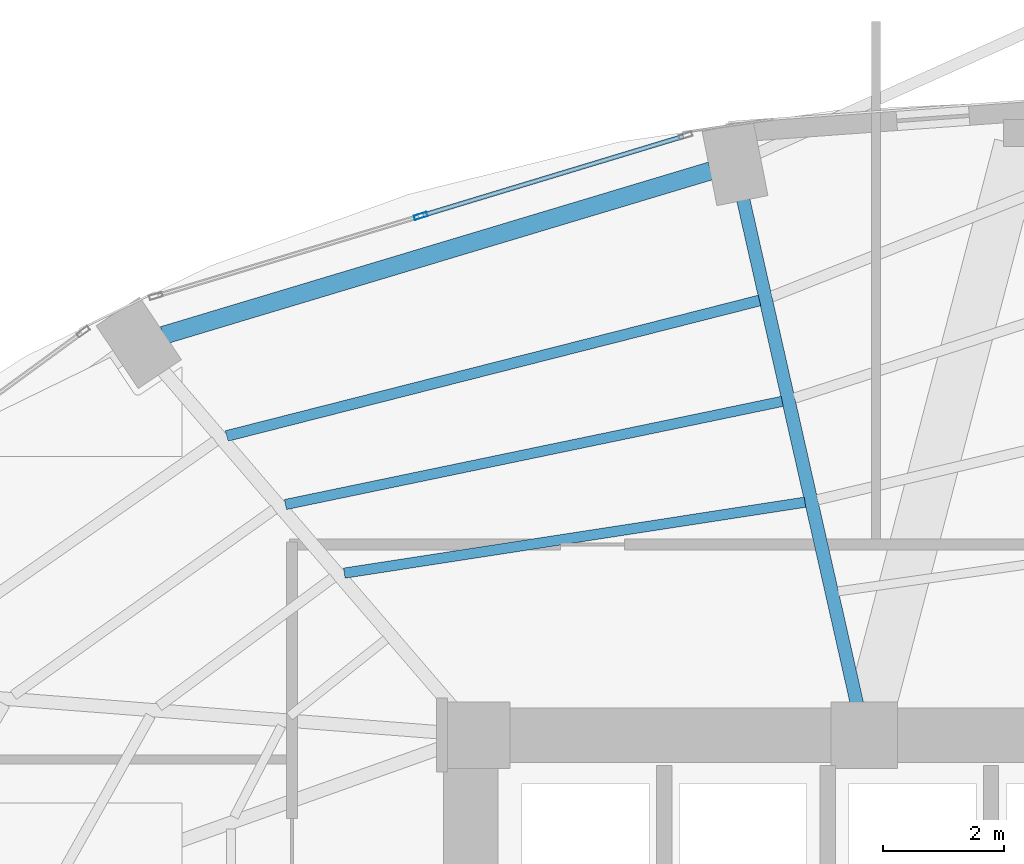
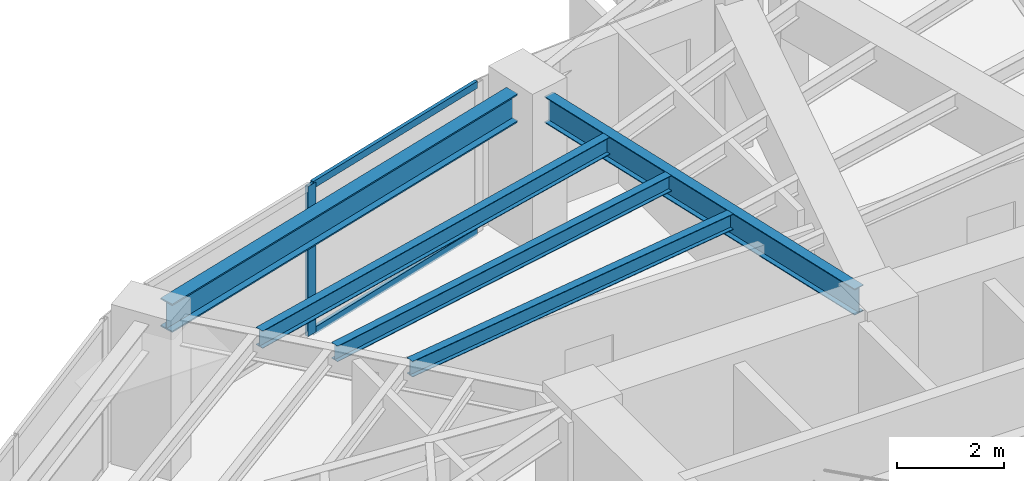
# One storey, part 15 of 25: 5 beams, 3 members, 1 element without a shape of its own.
"""IFC4 building model written with IfcOpenShell, lengths in metres."""

from ifc_helpers import new_model, si_unit, direction, frame, origin, origin_2d, place, context, subcontext, project, spatial, hollow_rectangle, i_section, extrude, material, layer, layer_set, material_profile, profile_set, type_object, element, aggregate, save


model = new_model("IFC4")

# Units and contexts
model_context = context("Model", 3, precision=1e-05, world=origin(), true_north=direction((0.0, 1.0)))
body_context = subcontext(model_context, "Body", "Model", "MODEL_VIEW")
ifc_project = project(units=[si_unit("LENGTHUNIT", "METRE"), si_unit("AREAUNIT", "SQUARE_METRE"), si_unit("VOLUMEUNIT", "CUBIC_METRE"), si_unit("PLANEANGLEUNIT", "RADIAN"), si_unit("MASSUNIT", "GRAM", prefix="KILO")], contexts=[model_context])

# Site, building, storey
site_placement = place(None, origin())
site = spatial("IfcSite", under=ifc_project, at=site_placement, CompositionType="ELEMENT")
building_placement = place(site_placement, origin())
building = spatial("IfcBuilding", under=site, at=building_placement, Name="Lazwardi Medical Tower", CompositionType="ELEMENT")
storey_placement = place(building_placement, frame((0.0, 0.0, 43.43994140625)))
storey = spatial("IfcBuildingStorey", under=building, at=storey_placement, Name="L10", CompositionType="ELEMENT", Elevation=43.43994140625)

# Beams
ifc_material_1 = material(Name="Steel S355", Category="steel")
ifc_material_profile_1 = material_profile(ifc_material_1, i_section(OverallWidth=0.300048828125, OverallDepth=0.64990234375, WebThickness=0.01611328125, FlangeThickness=0.031005859375, at=origin_2d()), Name="HEB 650")
ifc_profile_set_1 = profile_set([ifc_material_profile_1], Name="Steel S355")
beam_type_1 = type_object("IfcBeamType", Name="BM-RB-Z1", PredefinedType="BEAM", material=ifc_profile_set_1)
beam_1_placement = place(storey_placement, frame((30.26708984375, 44.923095703125, 3.10302734375), z_axis=(-0.957695289269, -0.287784177662, 0.0), x_axis=(0.287784177662, -0.957695289269, 0.0)))
element("IfcBeam", 1, at=beam_1_placement, inside=storey, type_object=beam_type_1, Name="Ring beam RB-02 B09 L10", PredefinedType="BEAM", context=body_context, shape_type="SweptSolid", body=[
    extrude(i_section(OverallWidth=0.300048828125, OverallDepth=0.64990234375, WebThickness=0.01611328125, FlangeThickness=0.031005859375, at=origin_2d()), origin(), (0.0, 0.0, 1.0), 9.445556640625),
])
ifc_material_profile_2 = material_profile(ifc_material_1, i_section(OverallWidth=0.219970703125, OverallDepth=0.60009765625, WebThickness=0.011962890625, FlangeThickness=0.01904296875, at=origin_2d()), Name="IPE 600")
ifc_profile_set_2 = profile_set([ifc_material_profile_2], Name="Steel S355")
beam_type_2 = type_object("IfcBeamType", Name="BM-RG-W1", PredefinedType="BEAM", material=ifc_profile_set_2)
beam_2_placement = place(storey_placement, frame((30.796875, 44.478271484375, 3.128173828125), z_axis=(0.22010079219, -0.975477135189, 0.0), x_axis=(0.975477135189, 0.22010079219, 0.0)))
element("IfcBeam", 2, at=beam_2_placement, inside=storey, type_object=beam_type_2, Name="Radial girder RG-02 R09 L10", PredefinedType="BEAM", context=body_context, shape_type="SweptSolid", body=[
    extrude(i_section(OverallWidth=0.219970703125, OverallDepth=0.60009765625, WebThickness=0.011962890625, FlangeThickness=0.01904296875, at=origin_2d()), origin(), (0.0, 0.0, 1.0), 8.56640625),
])
ifc_material_profile_3 = material_profile(ifc_material_1, i_section(OverallWidth=0.179931640625, OverallDepth=0.39990234375, WebThickness=0.008544921875, FlangeThickness=0.013427734375, at=origin_2d()), Name="IPE 400")
ifc_profile_set_3 = profile_set([ifc_material_profile_3], Name="Steel S355")
beam_type_3 = type_object("IfcBeamType", Name="BM-SJ-01", PredefinedType="JOIST", material=ifc_profile_set_3)
beam_3_placement = place(storey_placement, frame((31.072265625, 42.781005859375, 3.22802734375), z_axis=(-0.969151012048, -0.246467677081, 0.0), x_axis=(0.246467677081, -0.969151012048, 0.0)))
element("IfcBeam", 3, at=beam_3_placement, inside=storey, type_object=beam_type_3, Name="Secondary joist SJ-01 R1 B09 L10", PredefinedType="JOIST", context=body_context, shape_type="SweptSolid", body=[
    extrude(i_section(OverallWidth=0.179931640625, OverallDepth=0.39990234375, WebThickness=0.008544921875, FlangeThickness=0.013427734375, at=origin_2d()), origin(), (0.0, 0.0, 1.0), 9.08251953125),
])
ifc_material_profile_4 = material_profile(ifc_material_1, i_section(OverallWidth=0.169921875, OverallDepth=0.360107421875, WebThickness=0.008056640625, FlangeThickness=0.0126953125, at=origin_2d()), Name="IPE 360")
ifc_profile_set_4 = profile_set([ifc_material_profile_4], Name="Steel S355")
beam_type_4 = type_object("IfcBeamType", Name="BM-SJ-02", PredefinedType="JOIST", material=ifc_profile_set_4)
beam_4_placement = place(storey_placement, frame((31.4482421875, 41.114501953125, 3.248046875), z_axis=(-0.979107693723, -0.203342381445, 0.0), x_axis=(0.203342381445, -0.979107693723, 0.0)))
element("IfcBeam", 4, at=beam_4_placement, inside=storey, type_object=beam_type_4, Name="Secondary joist SJ-02 R2 B09 L10", PredefinedType="JOIST", context=body_context, shape_type="SweptSolid", body=[
    extrude(i_section(OverallWidth=0.169921875, OverallDepth=0.360107421875, WebThickness=0.008056640625, FlangeThickness=0.0126953125, at=origin_2d()), origin(), (0.0, 0.0, 1.0), 8.381591796875),
])
beam_5_placement = place(storey_placement, frame((31.824462890625, 39.448486328125, 3.248046875), z_axis=(-0.988362899594, -0.152114360618, 0.0), x_axis=(0.152114360618, -0.988362899594, 0.0)))
element("IfcBeam", 5, at=beam_5_placement, inside=storey, type_object=beam_type_4, Name="Secondary joist SJ-02 R3 B09 L10", PredefinedType="JOIST", context=body_context, shape_type="SweptSolid", body=[
    extrude(i_section(OverallWidth=0.169921875, OverallDepth=0.360107421875, WebThickness=0.008056640625, FlangeThickness=0.0126953125, at=origin_2d()), origin(), (0.0, 0.0, 1.0), 7.70068359375),
])

# Curtain wall, members
ifc_material_2 = material(Name="Anodised bronze aluminium and solar control glazing", Category="aluminium")
ifc_layer = layer(ifc_material_2, 0.199951171875)
ifc_layer_set = layer_set([ifc_layer], Name="Anodised bronze aluminium and solar control glazing")
curtain_wall_type = type_object("IfcCurtainWallType", Name="CW-SYS-02", PredefinedType="NOTDEFINED", material=ifc_layer_set)
curtain_wall_placement = place(storey_placement, origin())
curtain_wall = element("IfcCurtainWall", 6, at=curtain_wall_placement, inside=storey, type_object=curtain_wall_type, Name="L10 Unitised bronze curtain wall CW-02", PredefinedType="NOTDEFINED")
ifc_material_3 = material(Name="Anodised bronze aluminium", Category="aluminium")
ifc_material_profile_5 = material_profile(ifc_material_3, hollow_rectangle(XDim=0.074951171875, YDim=0.219970703125, WallThickness=0.00390625, at=origin_2d()), Name="ALU-MULLION 220x75x4")
ifc_profile_set_5 = profile_set([ifc_material_profile_5], Name="Anodised bronze aluminium")
member_type_1 = type_object("IfcMemberType", Name="CW-MUL-01", PredefinedType="MULLION", material=ifc_profile_set_5)
member_1_placement = place(storey_placement, frame((25.476806640625, 44.178466796875, 0.0), z_axis=(0.0, 0.0, 1.0), x_axis=(0.2898956909, -0.957058247129, 0.0)))
member_1 = element("IfcMember", 7, at=member_1_placement, type_object=member_type_1, Name="CW-02 mullion 2", PredefinedType="MULLION", context=body_context, shape_type="SweptSolid", body=[
    extrude(hollow_rectangle(XDim=0.074951171875, YDim=0.219970703125, WallThickness=0.00390625, at=origin_2d()), origin(), (0.0, 0.0, 1.0), 3.427978515625),
])
ifc_material_profile_6 = material_profile(ifc_material_3, hollow_rectangle(XDim=0.074951171875, YDim=0.159912109375, WallThickness=0.00390625, at=origin_2d()), Name="ALU-TRANSOM 160x75x4")
ifc_profile_set_6 = profile_set([ifc_material_profile_6], Name="Anodised bronze aluminium")
member_type_2 = type_object("IfcMemberType", Name="CW-TRN-01", PredefinedType="USERDEFINED", material=ifc_profile_set_6)
member_2_placement = place(storey_placement, frame((29.816162109375, 45.492919921875, 0.03759765625), z_axis=(-0.957047233423, -0.28993204893, 0.0), x_axis=(0.28993204893, -0.957047233423, 0.0)))
member_2 = element("IfcMember", 8, at=member_2_placement, type_object=member_type_2, Name="CW-02 transom 1.1", ObjectType="TRANSOM", PredefinedType="USERDEFINED", context=body_context, shape_type="SweptSolid", body=[
    extrude(hollow_rectangle(XDim=0.074951171875, YDim=0.159912109375, WallThickness=0.00390625, at=origin_2d()), origin(), (0.0, 0.0, 1.0), 4.49658203125),
])
member_3_placement = place(storey_placement, frame((29.816162109375, 45.492919921875, 3.390625), z_axis=(-0.957047233423, -0.28993204893, 0.0), x_axis=(0.28993204893, -0.957047233423, 0.0)))
member_3 = element("IfcMember", 9, at=member_3_placement, type_object=member_type_2, Name="CW-02 transom 1.2", ObjectType="TRANSOM", PredefinedType="USERDEFINED", context=body_context, shape_type="SweptSolid", body=[
    extrude(hollow_rectangle(XDim=0.074951171875, YDim=0.159912109375, WallThickness=0.00390625, at=origin_2d()), origin(), (0.0, 0.0, 1.0), 4.49658203125),
])
aggregate(curtain_wall, [member_1, member_2, member_3])

save(model, "model.ifc")
